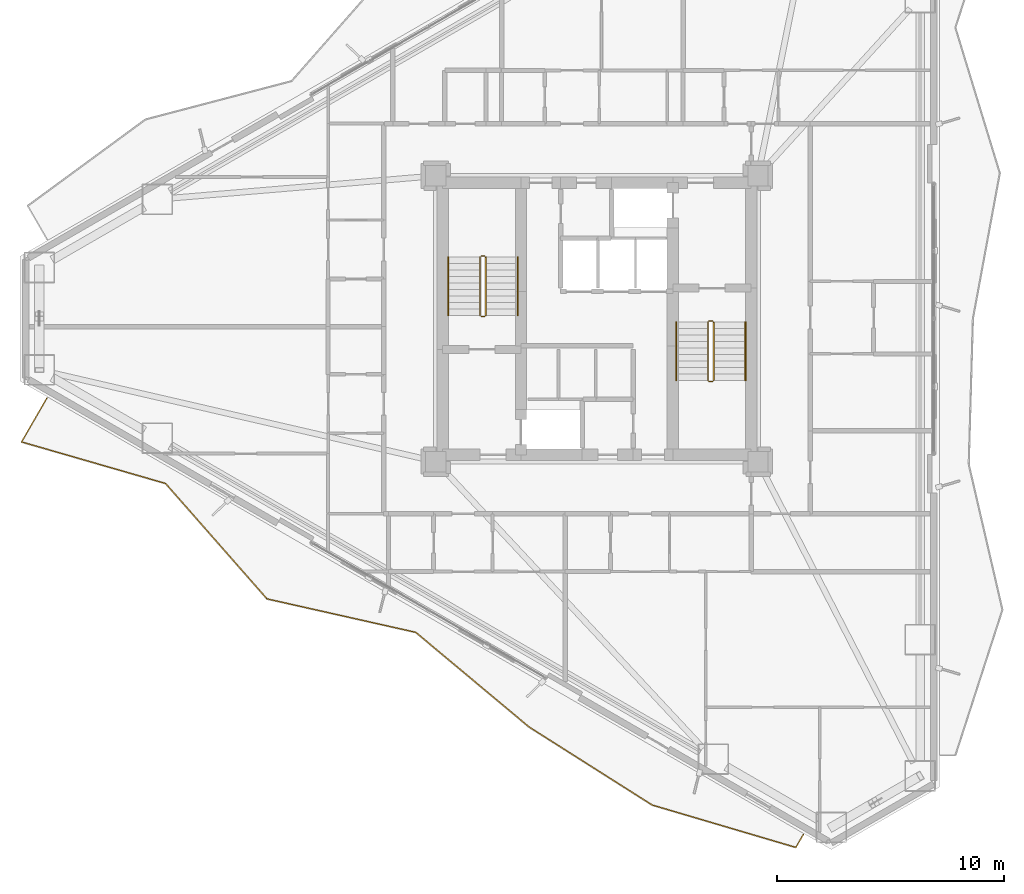
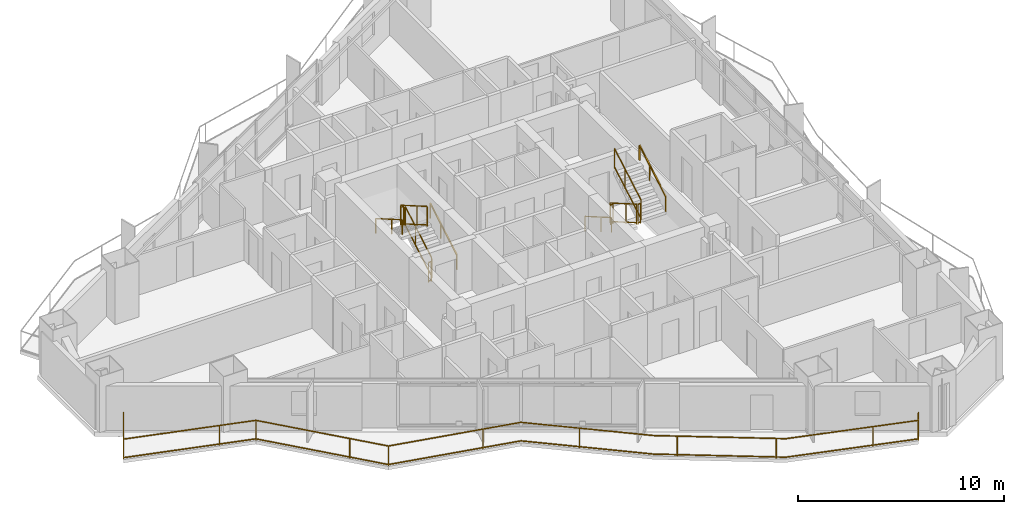
# One storey, part 17 of 18: 13 railings.
"""IFC4 building model written with IfcOpenShell, lengths in metres."""

from ifc_helpers import new_model, si_unit, direction, frame, origin, origin_2d, place, context, subcontext, project, spatial, rectangle, extrude, material, type_object, element, save


model = new_model("IFC4")

# Units and contexts
model_context = context("Model", 3, precision=1e-05, world=origin(), true_north=direction((0.0, 1.0)))
body_context = subcontext(model_context, "Body", "Model", "MODEL_VIEW")
ifc_project = project(units=[si_unit("LENGTHUNIT", "METRE"), si_unit("AREAUNIT", "SQUARE_METRE"), si_unit("VOLUMEUNIT", "CUBIC_METRE"), si_unit("PLANEANGLEUNIT", "RADIAN"), si_unit("MASSUNIT", "GRAM", prefix="KILO")], contexts=[model_context])

# Site, building, storey
site_placement = place(None, origin())
site = spatial("IfcSite", under=ifc_project, at=site_placement, CompositionType="ELEMENT")
building_placement = place(site_placement, origin())
building = spatial("IfcBuilding", under=site, at=building_placement, Name="Mersakhor Tower and Convention Hall", CompositionType="ELEMENT")
storey_placement = place(building_placement, frame((0.0, 0.0, 58.800048828125)))
storey = spatial("IfcBuildingStorey", under=building, at=storey_placement, Name="L16", CompositionType="ELEMENT", Elevation=58.800048828125)

# Railings
ifc_material_1 = material(Name="Powder-coated galvanised steel and laminated glass balustrade", Category="steel")
railing_type_1 = type_object("IfcRailingType", Name="RL-BAL-1200", PredefinedType="BALUSTRADE", material=ifc_material_1)
railing_1_placement = place(storey_placement, frame((4.75048828125, 23.256591796875, 0.0)))
element("IfcRailing", 1, at=railing_1_placement, inside=storey, type_object=railing_type_1, Name="L16 Sinusoidal Balcony Balustrade F3", PredefinedType="BALUSTRADE", context=body_context, shape_type="SweptSolid", body=[
    extrude(rectangle(XDim=0.048095703125, YDim=0.048095703125, at=origin_2d()), frame((0.0, 0.0, 1.17578125), z_axis=(-0.500068617113, -0.865985784051, 0.0), x_axis=(0.865985784051, -0.500068617113, 0.0)), (0.0, 0.0, 1.0), 2.238525390625),
    extrude(rectangle(XDim=0.048095703125, YDim=0.048095703125, at=origin_2d()), frame((0.0, 0.0, 0.080078125), z_axis=(-0.500068617113, -0.865985784051, 0.0), x_axis=(0.865985784051, -0.500068617113, 0.0)), (0.0, 0.0, 1.0), 2.238525390625),
    extrude(rectangle(XDim=0.048095703125, YDim=0.048095703125, at=origin_2d()), frame((-1.119384765625, -1.9384765625, 1.17578125), z_axis=(0.960791815896, -0.27727078192, 0.0), x_axis=(0.27727078192, 0.960791815896, 0.0)), (0.0, 0.0, 1.0), 6.61181640625),
    extrude(rectangle(XDim=0.048095703125, YDim=0.048095703125, at=origin_2d()), frame((-1.119384765625, -1.9384765625, 0.080078125), z_axis=(0.960791815896, -0.27727078192, 0.0), x_axis=(0.27727078192, 0.960791815896, 0.0)), (0.0, 0.0, 1.0), 6.61181640625),
    extrude(rectangle(XDim=0.048095703125, YDim=0.048095703125, at=origin_2d()), frame((5.233154296875, -3.771728515625, 1.17578125), z_axis=(0.6602427576, -0.75105226252, 0.0), x_axis=(0.75105226252, 0.6602427576, 0.0)), (0.0, 0.0, 1.0), 6.77490234375),
    extrude(rectangle(XDim=0.048095703125, YDim=0.048095703125, at=origin_2d()), frame((5.233154296875, -3.771728515625, 0.080078125), z_axis=(0.6602427576, -0.75105226252, 0.0), x_axis=(0.75105226252, 0.6602427576, 0.0)), (0.0, 0.0, 1.0), 6.77490234375),
    extrude(rectangle(XDim=0.048095703125, YDim=0.048095703125, at=origin_2d()), frame((9.706298828125, -8.860107421875, 1.17578125), z_axis=(0.975624141525, -0.219448250102, 0.0), x_axis=(0.219448250102, 0.975624141525, 0.0)), (0.0, 0.0, 1.0), 6.722900390625),
    extrude(rectangle(XDim=0.048095703125, YDim=0.048095703125, at=origin_2d()), frame((9.706298828125, -8.860107421875, 0.080078125), z_axis=(0.975624141525, -0.219448250102, 0.0), x_axis=(0.219448250102, 0.975624141525, 0.0)), (0.0, 0.0, 1.0), 6.722900390625),
    extrude(rectangle(XDim=0.048095703125, YDim=0.048095703125, at=origin_2d()), frame((16.265380859375, -10.33544921875, 1.17578125), z_axis=(0.767514291656, -0.641031833924, 0.0), x_axis=(0.641031833924, 0.767514291656, 0.0)), (0.0, 0.0, 1.0), 6.5146484375),
    extrude(rectangle(XDim=0.048095703125, YDim=0.048095703125, at=origin_2d()), frame((16.265380859375, -10.33544921875, 0.080078125), z_axis=(0.767514291656, -0.641031833924, 0.0), x_axis=(0.641031833924, 0.767514291656, 0.0)), (0.0, 0.0, 1.0), 6.5146484375),
    extrude(rectangle(XDim=0.048095703125, YDim=0.048095703125, at=origin_2d()), frame((21.265380859375, -14.511474609375, 1.17578125), z_axis=(0.844639781229, -0.53533507261, 0.0), x_axis=(0.53533507261, 0.844639781229, 0.0)), (0.0, 0.0, 1.0), 6.423583984375),
    extrude(rectangle(XDim=0.048095703125, YDim=0.048095703125, at=origin_2d()), frame((21.265380859375, -14.511474609375, 0.080078125), z_axis=(0.844639781229, -0.53533507261, 0.0), x_axis=(0.53533507261, 0.844639781229, 0.0)), (0.0, 0.0, 1.0), 6.423583984375),
    extrude(rectangle(XDim=0.048095703125, YDim=0.048095703125, at=origin_2d()), frame((26.69091796875, -17.9501953125, 1.17578125), z_axis=(0.959117222951, -0.283009103456, 0.0), x_axis=(0.283009103456, 0.959117222951, 0.0)), (0.0, 0.0, 1.0), 6.60205078125),
    extrude(rectangle(XDim=0.048095703125, YDim=0.048095703125, at=origin_2d()), frame((26.69091796875, -17.9501953125, 0.080078125), z_axis=(0.959117222951, -0.283009103456, 0.0), x_axis=(0.283009103456, 0.959117222951, 0.0)), (0.0, 0.0, 1.0), 6.60205078125),
    extrude(rectangle(XDim=0.048095703125, YDim=0.048095703125, at=origin_2d()), frame((33.02294921875, -19.818603515625, 1.17578125), z_axis=(0.500165322679, 0.865929933649, 0.0), x_axis=(-0.865929933649, 0.500165322679, 0.0)), (0.0, 0.0, 1.0), 0.652099609375),
    extrude(rectangle(XDim=0.048095703125, YDim=0.048095703125, at=origin_2d()), frame((33.02294921875, -19.818603515625, 0.080078125), z_axis=(0.500165322679, 0.865929933649, 0.0), x_axis=(-0.865929933649, 0.500165322679, 0.0)), (0.0, 0.0, 1.0), 0.652099609375),
    extrude(rectangle(XDim=0.0419921875, YDim=0.0419921875, at=origin_2d()), origin(), (0.0, 0.0, 1.0), 1.15185546875),
    extrude(rectangle(XDim=0.0419921875, YDim=0.0419921875, at=origin_2d()), frame((-1.119384765625, -1.9384765625, 0.0)), (0.0, 0.0, 1.0), 1.15185546875),
    extrude(rectangle(XDim=0.0419921875, YDim=0.0419921875, at=origin_2d()), frame((3.492431640625, -3.269287109375, 0.0)), (0.0, 0.0, 1.0), 1.15185546875),
    extrude(rectangle(XDim=0.0419921875, YDim=0.0419921875, at=origin_2d()), frame((5.233154296875, -3.771728515625, 0.0)), (0.0, 0.0, 1.0), 1.15185546875),
    extrude(rectangle(XDim=0.0419921875, YDim=0.0419921875, at=origin_2d()), frame((8.40234375, -7.376708984375, 0.0)), (0.0, 0.0, 1.0), 1.15185546875),
    extrude(rectangle(XDim=0.0419921875, YDim=0.0419921875, at=origin_2d()), frame((9.706298828125, -8.860107421875, 0.0)), (0.0, 0.0, 1.0), 1.15185546875),
    extrude(rectangle(XDim=0.0419921875, YDim=0.0419921875, at=origin_2d()), frame((14.389404296875, -9.91357421875, 0.0)), (0.0, 0.0, 1.0), 1.15185546875),
    extrude(rectangle(XDim=0.0419921875, YDim=0.0419921875, at=origin_2d()), frame((18.4736328125, -12.1796875, 0.0)), (0.0, 0.0, 1.0), 1.15185546875),
    extrude(rectangle(XDim=0.0419921875, YDim=0.0419921875, at=origin_2d()), frame((22.247314453125, -15.1337890625, 0.0)), (0.0, 0.0, 1.0), 1.15185546875),
    extrude(rectangle(XDim=0.0419921875, YDim=0.0419921875, at=origin_2d()), frame((26.301513671875, -17.703369140625, 0.0)), (0.0, 0.0, 1.0), 1.15185546875),
    extrude(rectangle(XDim=0.0419921875, YDim=0.0419921875, at=origin_2d()), frame((30.8525390625, -19.17822265625, 0.0)), (0.0, 0.0, 1.0), 1.15185546875),
    extrude(rectangle(XDim=0.0419921875, YDim=0.0419921875, at=origin_2d()), frame((33.02294921875, -19.818603515625, 0.0)), (0.0, 0.0, 1.0), 1.15185546875),
    extrude(rectangle(XDim=0.0419921875, YDim=0.0419921875, at=origin_2d()), frame((33.34912109375, -19.25390625, 0.0)), (0.0, 0.0, 1.0), 1.15185546875),
])
ifc_material_2 = material(Name="Brushed stainless steel handrail", Category="steel")
railing_type_2 = type_object("IfcRailingType", Name="RL-HR-900", PredefinedType="HANDRAIL", material=ifc_material_2)
railing_2_placement = place(storey_placement, frame((25.5, 26.89990234375, 0.1650390625)))
element("IfcRailing", 2, at=railing_2_placement, inside=storey, type_object=railing_type_2, Name="L16 ST-1 stair handrail 1", PredefinedType="HANDRAIL", context=body_context, shape_type="SweptSolid", body=[
    extrude(rectangle(XDim=0.048095703125, YDim=0.048095703125, at=origin_2d()), frame((0.0, 0.0, 0.8759765625), z_axis=(0.0, 0.865461999751, 0.500974577186), x_axis=(-1.0, 0.0, 0.0)), (0.0, 0.0, 1.0), 2.9638671875),
    extrude(rectangle(XDim=0.0419921875, YDim=0.0419921875, at=origin_2d()), origin(), (0.0, 0.0, 1.0), 0.851806640625),
    extrude(rectangle(XDim=0.0419921875, YDim=0.0419921875, at=origin_2d()), frame((0.0, 1.557861328125, 0.90185546875)), (0.0, 0.0, 1.0), 0.851806640625),
    extrude(rectangle(XDim=0.0419921875, YDim=0.0419921875, at=origin_2d()), frame((0.0, 2.565185546875, 1.48486328125)), (0.0, 0.0, 1.0), 0.851806640625),
])
railing_3_placement = place(storey_placement, frame((22.449951171875, 29.465087890625, 1.81494140625)))
element("IfcRailing", 3, at=railing_3_placement, inside=storey, type_object=railing_type_2, Name="L16 ST-1 stair handrail 2", PredefinedType="HANDRAIL", context=body_context, shape_type="SweptSolid", body=[
    extrude(rectangle(XDim=0.048095703125, YDim=0.048095703125, at=origin_2d()), frame((0.0, 0.0, 0.8759765625), z_axis=(0.0, -0.865426285481, 0.501036270542), x_axis=(1.0, 0.0, 0.0)), (0.0, 0.0, 1.0), 2.964111328125),
    extrude(rectangle(XDim=0.0419921875, YDim=0.0419921875, at=origin_2d()), origin(), (0.0, 0.0, 1.0), 0.851806640625),
    extrude(rectangle(XDim=0.0419921875, YDim=0.0419921875, at=origin_2d()), frame((0.0, -1.557861328125, 0.90185546875)), (0.0, 0.0, 1.0), 0.851806640625),
    extrude(rectangle(XDim=0.0419921875, YDim=0.0419921875, at=origin_2d()), frame((0.0, -2.565185546875, 1.485107421875)), (0.0, 0.0, 1.0), 0.851806640625),
])
railing_4_placement = place(storey_placement, frame((32.5, 26.60009765625, 0.1650390625)))
element("IfcRailing", 4, at=railing_4_placement, inside=storey, type_object=railing_type_2, Name="L16 ST-2 stair handrail 1", PredefinedType="HANDRAIL", context=body_context, shape_type="SweptSolid", body=[
    extrude(rectangle(XDim=0.048095703125, YDim=0.048095703125, at=origin_2d()), frame((0.0, 0.0, 0.8759765625), z_axis=(0.0, -0.865461999751, 0.500974577186), x_axis=(1.0, 0.0, 0.0)), (0.0, 0.0, 1.0), 2.9638671875),
    extrude(rectangle(XDim=0.0419921875, YDim=0.0419921875, at=origin_2d()), origin(), (0.0, 0.0, 1.0), 0.851806640625),
    extrude(rectangle(XDim=0.0419921875, YDim=0.0419921875, at=origin_2d()), frame((0.0, -1.557861328125, 0.90185546875)), (0.0, 0.0, 1.0), 0.851806640625),
    extrude(rectangle(XDim=0.0419921875, YDim=0.0419921875, at=origin_2d()), frame((0.0, -2.565185546875, 1.48486328125)), (0.0, 0.0, 1.0), 0.851806640625),
])
railing_5_placement = place(storey_placement, frame((35.550048828125, 24.034912109375, 1.81494140625)))
element("IfcRailing", 5, at=railing_5_placement, inside=storey, type_object=railing_type_2, Name="L16 ST-2 stair handrail 2", PredefinedType="HANDRAIL", context=body_context, shape_type="SweptSolid", body=[
    extrude(rectangle(XDim=0.048095703125, YDim=0.048095703125, at=origin_2d()), frame((0.0, 0.0, 0.8759765625), z_axis=(0.0, 0.865426285481, 0.501036270542), x_axis=(-1.0, 0.0, 0.0)), (0.0, 0.0, 1.0), 2.964111328125),
    extrude(rectangle(XDim=0.0419921875, YDim=0.0419921875, at=origin_2d()), origin(), (0.0, 0.0, 1.0), 0.851806640625),
    extrude(rectangle(XDim=0.0419921875, YDim=0.0419921875, at=origin_2d()), frame((0.0, 1.557861328125, 0.90185546875)), (0.0, 0.0, 1.0), 0.851806640625),
    extrude(rectangle(XDim=0.0419921875, YDim=0.0419921875, at=origin_2d()), frame((0.0, 2.565185546875, 1.485107421875)), (0.0, 0.0, 1.0), 0.851806640625),
])
ifc_material_3 = material(Name="Painted steel stair balustrade S355", Category="steel")
railing_type_3 = type_object("IfcRailingType", Name="RL-STG-1200", PredefinedType="BALUSTRADE", material=ifc_material_3)
railing_6_placement = place(storey_placement, frame((24.10009765625, 26.89990234375, 0.1650390625)))
element("IfcRailing", 6, at=railing_6_placement, inside=storey, type_object=railing_type_3, Name="L16 ST-1 stair guard 1", PredefinedType="BALUSTRADE", context=body_context, shape_type="SweptSolid", body=[
    extrude(rectangle(XDim=0.048095703125, YDim=0.048095703125, at=origin_2d()), frame((0.0, 0.0, 1.17578125), z_axis=(0.0, 0.865461999751, 0.500974577186), x_axis=(-1.0, 0.0, 0.0)), (0.0, 0.0, 1.0), 2.9638671875),
    extrude(rectangle(XDim=0.048095703125, YDim=0.048095703125, at=origin_2d()), frame((0.0, 0.0, 0.080078125), z_axis=(0.0, 0.865461999751, 0.500974577186), x_axis=(-1.0, 0.0, 0.0)), (0.0, 0.0, 1.0), 2.9638671875),
    extrude(rectangle(XDim=0.0419921875, YDim=0.0419921875, at=origin_2d()), origin(), (0.0, 0.0, 1.0), 1.15185546875),
    extrude(rectangle(XDim=0.0419921875, YDim=0.0419921875, at=origin_2d()), frame((0.0, 1.557861328125, 0.90185546875)), (0.0, 0.0, 1.0), 1.15185546875),
    extrude(rectangle(XDim=0.0419921875, YDim=0.0419921875, at=origin_2d()), frame((0.0, 2.565185546875, 1.48486328125)), (0.0, 0.0, 1.0), 1.15185546875),
])
railing_7_placement = place(storey_placement, frame((24.050048828125, 29.514892578125, 1.64990234375)))
element("IfcRailing", 7, at=railing_7_placement, inside=storey, type_object=railing_type_3, Name="L16 ST-1 stair guard 2", PredefinedType="BALUSTRADE", context=body_context, shape_type="SweptSolid", body=[
    extrude(rectangle(XDim=0.048095703125, YDim=0.048095703125, at=origin_2d()), frame((0.0, 0.0, 1.17578125), z_axis=(-1.0, 0.0, 0.0), x_axis=(0.0, -1.0, 0.0)), (0.0, 0.0, 1.0), 0.150146484375),
    extrude(rectangle(XDim=0.048095703125, YDim=0.048095703125, at=origin_2d()), frame((0.0, 0.0, 0.080078125), z_axis=(-1.0, 0.0, 0.0), x_axis=(0.0, -1.0, 0.0)), (0.0, 0.0, 1.0), 0.150146484375),
    extrude(rectangle(XDim=0.0419921875, YDim=0.0419921875, at=origin_2d()), origin(), (0.0, 0.0, 1.0), 1.15185546875),
    extrude(rectangle(XDim=0.0419921875, YDim=0.0419921875, at=origin_2d()), frame((-0.150146484375, 0.0, 0.0)), (0.0, 0.0, 1.0), 1.15185546875),
])
railing_8_placement = place(storey_placement, frame((23.85009765625, 29.465087890625, 1.81494140625)))
element("IfcRailing", 8, at=railing_8_placement, inside=storey, type_object=railing_type_3, Name="L16 ST-1 stair guard 3", PredefinedType="BALUSTRADE", context=body_context, shape_type="SweptSolid", body=[
    extrude(rectangle(XDim=0.048095703125, YDim=0.048095703125, at=origin_2d()), frame((0.0, 0.0, 1.17578125), z_axis=(0.0, -0.865426285481, 0.501036270542), x_axis=(1.0, 0.0, 0.0)), (0.0, 0.0, 1.0), 2.964111328125),
    extrude(rectangle(XDim=0.048095703125, YDim=0.048095703125, at=origin_2d()), frame((0.0, 0.0, 0.080078125), z_axis=(0.0, -0.865426285481, 0.501036270542), x_axis=(1.0, 0.0, 0.0)), (0.0, 0.0, 1.0), 2.964111328125),
    extrude(rectangle(XDim=0.0419921875, YDim=0.0419921875, at=origin_2d()), origin(), (0.0, 0.0, 1.0), 1.15185546875),
    extrude(rectangle(XDim=0.0419921875, YDim=0.0419921875, at=origin_2d()), frame((0.0, -1.557861328125, 0.90185546875)), (0.0, 0.0, 1.0), 1.15185546875),
    extrude(rectangle(XDim=0.0419921875, YDim=0.0419921875, at=origin_2d()), frame((0.0, -2.565185546875, 1.485107421875)), (0.0, 0.0, 1.0), 1.15185546875),
])
railing_9_placement = place(storey_placement, frame((24.050048828125, 26.85009765625, 0.0)))
element("IfcRailing", 9, at=railing_9_placement, inside=storey, type_object=railing_type_3, Name="L16 ST-1 stair guard 4", PredefinedType="BALUSTRADE", context=body_context, shape_type="SweptSolid", body=[
    extrude(rectangle(XDim=0.048095703125, YDim=0.048095703125, at=origin_2d()), frame((0.0, 0.0, 1.17578125), z_axis=(-1.0, 0.0, 0.0), x_axis=(0.0, -1.0, 0.0)), (0.0, 0.0, 1.0), 0.150146484375),
    extrude(rectangle(XDim=0.048095703125, YDim=0.048095703125, at=origin_2d()), frame((0.0, 0.0, 0.080078125), z_axis=(-1.0, 0.0, 0.0), x_axis=(0.0, -1.0, 0.0)), (0.0, 0.0, 1.0), 0.150146484375),
    extrude(rectangle(XDim=0.0419921875, YDim=0.0419921875, at=origin_2d()), origin(), (0.0, 0.0, 1.0), 1.15185546875),
    extrude(rectangle(XDim=0.0419921875, YDim=0.0419921875, at=origin_2d()), frame((-0.150146484375, 0.0, 0.0)), (0.0, 0.0, 1.0), 1.15185546875),
])
railing_10_placement = place(storey_placement, frame((33.89990234375, 26.60009765625, 0.1650390625)))
element("IfcRailing", 10, at=railing_10_placement, inside=storey, type_object=railing_type_3, Name="L16 ST-2 stair guard 1", PredefinedType="BALUSTRADE", context=body_context, shape_type="SweptSolid", body=[
    extrude(rectangle(XDim=0.048095703125, YDim=0.048095703125, at=origin_2d()), frame((0.0, 0.0, 1.17578125), z_axis=(0.0, -0.865461999751, 0.500974577186), x_axis=(1.0, 0.0, 0.0)), (0.0, 0.0, 1.0), 2.9638671875),
    extrude(rectangle(XDim=0.048095703125, YDim=0.048095703125, at=origin_2d()), frame((0.0, 0.0, 0.080078125), z_axis=(0.0, -0.865461999751, 0.500974577186), x_axis=(1.0, 0.0, 0.0)), (0.0, 0.0, 1.0), 2.9638671875),
    extrude(rectangle(XDim=0.0419921875, YDim=0.0419921875, at=origin_2d()), origin(), (0.0, 0.0, 1.0), 1.15185546875),
    extrude(rectangle(XDim=0.0419921875, YDim=0.0419921875, at=origin_2d()), frame((0.0, -1.557861328125, 0.90185546875)), (0.0, 0.0, 1.0), 1.15185546875),
    extrude(rectangle(XDim=0.0419921875, YDim=0.0419921875, at=origin_2d()), frame((0.0, -2.565185546875, 1.48486328125)), (0.0, 0.0, 1.0), 1.15185546875),
])
railing_11_placement = place(storey_placement, frame((33.949951171875, 23.985107421875, 1.64990234375)))
element("IfcRailing", 11, at=railing_11_placement, inside=storey, type_object=railing_type_3, Name="L16 ST-2 stair guard 2", PredefinedType="BALUSTRADE", context=body_context, shape_type="SweptSolid", body=[
    extrude(rectangle(XDim=0.048095703125, YDim=0.048095703125, at=origin_2d()), frame((0.0, 0.0, 1.17578125), z_axis=(1.0, 0.0, 0.0), x_axis=(0.0, 1.0, 0.0)), (0.0, 0.0, 1.0), 0.150146484375),
    extrude(rectangle(XDim=0.048095703125, YDim=0.048095703125, at=origin_2d()), frame((0.0, 0.0, 0.080078125), z_axis=(1.0, 0.0, 0.0), x_axis=(0.0, 1.0, 0.0)), (0.0, 0.0, 1.0), 0.150146484375),
    extrude(rectangle(XDim=0.0419921875, YDim=0.0419921875, at=origin_2d()), origin(), (0.0, 0.0, 1.0), 1.15185546875),
    extrude(rectangle(XDim=0.0419921875, YDim=0.0419921875, at=origin_2d()), frame((0.150146484375, 0.0, 0.0)), (0.0, 0.0, 1.0), 1.15185546875),
])
railing_12_placement = place(storey_placement, frame((34.14990234375, 24.034912109375, 1.81494140625)))
element("IfcRailing", 12, at=railing_12_placement, inside=storey, type_object=railing_type_3, Name="L16 ST-2 stair guard 3", PredefinedType="BALUSTRADE", context=body_context, shape_type="SweptSolid", body=[
    extrude(rectangle(XDim=0.048095703125, YDim=0.048095703125, at=origin_2d()), frame((0.0, 0.0, 1.17578125), z_axis=(0.0, 0.865426285481, 0.501036270542), x_axis=(-1.0, 0.0, 0.0)), (0.0, 0.0, 1.0), 2.964111328125),
    extrude(rectangle(XDim=0.048095703125, YDim=0.048095703125, at=origin_2d()), frame((0.0, 0.0, 0.080078125), z_axis=(0.0, 0.865426285481, 0.501036270542), x_axis=(-1.0, 0.0, 0.0)), (0.0, 0.0, 1.0), 2.964111328125),
    extrude(rectangle(XDim=0.0419921875, YDim=0.0419921875, at=origin_2d()), origin(), (0.0, 0.0, 1.0), 1.15185546875),
    extrude(rectangle(XDim=0.0419921875, YDim=0.0419921875, at=origin_2d()), frame((0.0, 1.557861328125, 0.90185546875)), (0.0, 0.0, 1.0), 1.15185546875),
    extrude(rectangle(XDim=0.0419921875, YDim=0.0419921875, at=origin_2d()), frame((0.0, 2.565185546875, 1.485107421875)), (0.0, 0.0, 1.0), 1.15185546875),
])
railing_13_placement = place(storey_placement, frame((33.949951171875, 26.64990234375, 0.0)))
element("IfcRailing", 13, at=railing_13_placement, inside=storey, type_object=railing_type_3, Name="L16 ST-2 stair guard 4", PredefinedType="BALUSTRADE", context=body_context, shape_type="SweptSolid", body=[
    extrude(rectangle(XDim=0.048095703125, YDim=0.048095703125, at=origin_2d()), frame((0.0, 0.0, 1.17578125), z_axis=(1.0, 0.0, 0.0), x_axis=(0.0, 1.0, 0.0)), (0.0, 0.0, 1.0), 0.150146484375),
    extrude(rectangle(XDim=0.048095703125, YDim=0.048095703125, at=origin_2d()), frame((0.0, 0.0, 0.080078125), z_axis=(1.0, 0.0, 0.0), x_axis=(0.0, 1.0, 0.0)), (0.0, 0.0, 1.0), 0.150146484375),
    extrude(rectangle(XDim=0.0419921875, YDim=0.0419921875, at=origin_2d()), origin(), (0.0, 0.0, 1.0), 1.15185546875),
    extrude(rectangle(XDim=0.0419921875, YDim=0.0419921875, at=origin_2d()), frame((0.150146484375, 0.0, 0.0)), (0.0, 0.0, 1.0), 1.15185546875),
])

save(model, "model.ifc")
